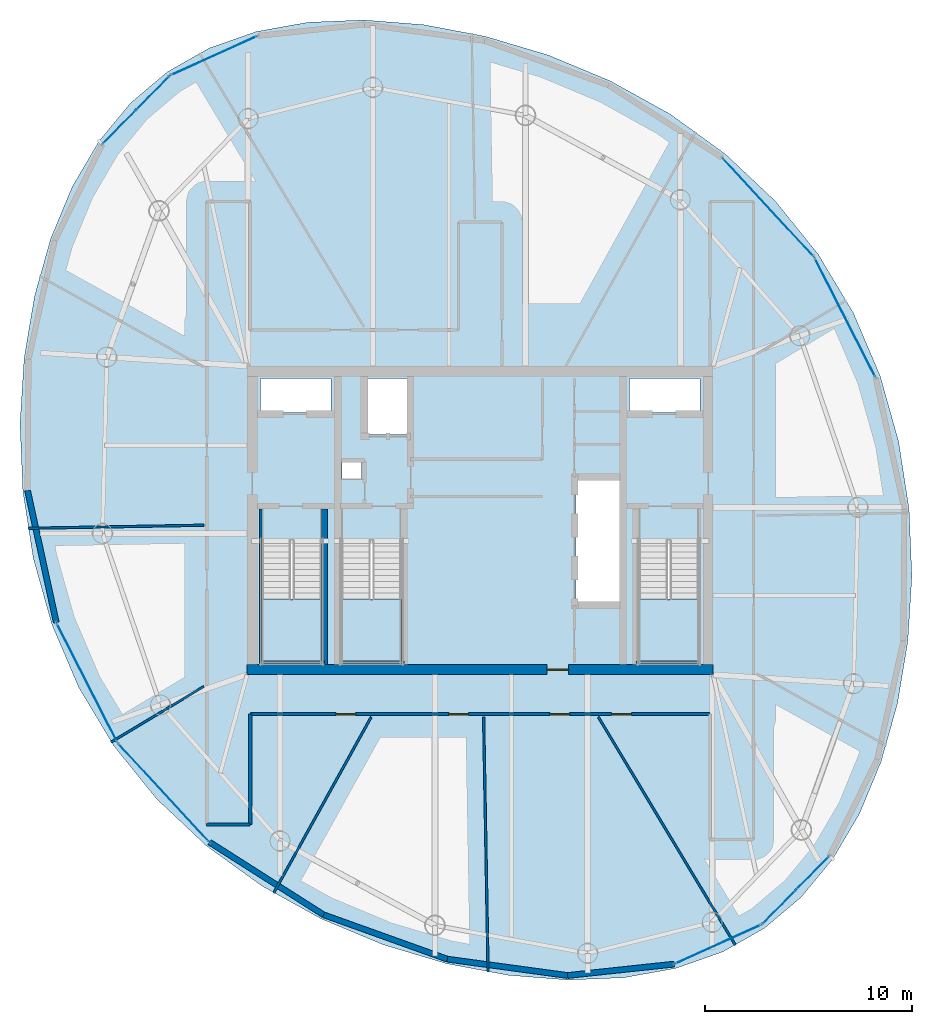
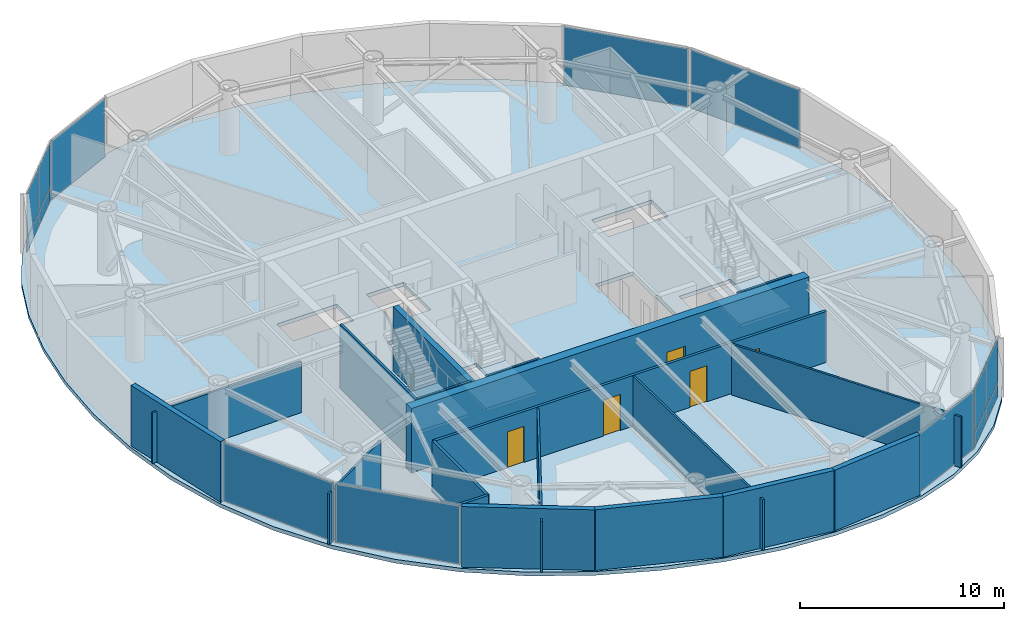
# One storey, part 16 of 22: 19 walls, 14 plates, 5 doors, 4 slabs, 5 openings, 11 elements without a shape of their own.
"""IFC4 building model written with IfcOpenShell, lengths in metres."""

from ifc_helpers import new_model, si_unit, direction, frame, frame_2d, origin, origin_2d, place, context, subcontext, project, spatial, polyline, rectangle, outline, extrude, material, layer, layer_set, type_object, element, fill, aggregate, save


model = new_model("IFC4")

# Units and contexts
model_context = context("Model", 3, precision=1e-05, world=origin(), true_north=direction((0.0, 1.0)))
body_context = subcontext(model_context, "Body", "Model", "MODEL_VIEW")
ifc_project = project(units=[si_unit("LENGTHUNIT", "METRE"), si_unit("AREAUNIT", "SQUARE_METRE"), si_unit("VOLUMEUNIT", "CUBIC_METRE"), si_unit("PLANEANGLEUNIT", "RADIAN"), si_unit("MASSUNIT", "GRAM", prefix="KILO")], contexts=[model_context])

# Site, building, storey
site_placement = place(None, origin())
site = spatial("IfcSite", under=ifc_project, at=site_placement, CompositionType="ELEMENT")
building_placement = place(site_placement, origin())
building = spatial("IfcBuilding", under=site, at=building_placement, Name="Bramvorn Convention Spire", CompositionType="ELEMENT")
storey_placement = place(building_placement, frame((0.0, 0.0, 253.60009765625)))
storey = spatial("IfcBuildingStorey", under=building, at=storey_placement, Name="L64", CompositionType="ELEMENT", Elevation=253.60009765625)

# Curtain wall, plates
ifc_material_1 = material(Name="Anodised Bronze Unitised Curtain Wall", Category="aluminium")
ifc_layer_1 = layer(ifc_material_1, 0.179931640625)
ifc_layer_set_1 = layer_set([ifc_layer_1], Name="Anodised Bronze Unitised Curtain Wall - CW-OFF-FRIT")
curtain_wall_type = type_object("IfcCurtainWallType", Name="CW-OFF-FRIT", PredefinedType="USERDEFINED", material=ifc_layer_set_1)
curtain_wall_1_placement = place(storey_placement, origin())
curtain_wall_1 = element("IfcCurtainWall", 1, at=curtain_wall_1_placement, inside=storey, type_object=curtain_wall_type, Name="L64 fritted glass curtain wall 01", ObjectType="UNITISED CURTAIN WALL", PredefinedType="USERDEFINED")
ifc_material_2 = material(Name="Laminated Low-E Glass (Triple IGU High-VLT Low-Iron 22%)", Category="glass")
ifc_layer_2 = layer(ifc_material_2, 0.0419921875)
ifc_layer_set_2 = layer_set([ifc_layer_2], Name="Laminated Low-E Glass (Triple IGU High-VLT Low-Iron 22%) - PNL-IGU-4")
plate_type = type_object("IfcPlateType", Name="PNL-IGU-4", PredefinedType="CURTAIN_PANEL", material=ifc_layer_set_2)
plate_1_placement = place(storey_placement, frame((54.042236328125, 8.9716796875, 0.059814453125), z_axis=(0.0, 0.0, 1.0), x_axis=(-0.701580737172, -0.712589972725, 0.0)))
plate_1 = element("IfcPlate", 2, at=plate_1_placement, type_object=plate_type, Name="CW3 panel 1.1", PredefinedType="CURTAIN_PANEL", context=body_context, shape_type="SweptSolid", body=[
    extrude(rectangle(XDim=2.2353515625, YDim=0.028076171875, at=origin_2d()), origin(), (0.0, 0.0, 1.0), 0.81005859375),
])
plate_2_placement = place(storey_placement, frame((54.042236328125, 8.9716796875, 0.9296875), z_axis=(0.0, 0.0, 1.0), x_axis=(-0.701580737172, -0.712589972725, 0.0)))
plate_2 = element("IfcPlate", 3, at=plate_2_placement, type_object=plate_type, Name="CW3 panel 1.2", PredefinedType="CURTAIN_PANEL", context=body_context, shape_type="SweptSolid", body=[
    extrude(rectangle(XDim=2.2353515625, YDim=0.028076171875, at=origin_2d()), origin(), (0.0, 0.0, 1.0), 2.635009765625),
])
plate_3_placement = place(storey_placement, frame((52.431884765625, 7.3359375, 0.059814453125), z_axis=(0.0, 0.0, 1.0), x_axis=(-0.701580737172, -0.712589972725, 0.0)))
plate_3 = element("IfcPlate", 4, at=plate_3_placement, type_object=plate_type, Name="CW3 panel 2.1", PredefinedType="CURTAIN_PANEL", context=body_context, shape_type="SweptSolid", body=[
    extrude(rectangle(XDim=2.2353515625, YDim=0.028076171875, at=origin_2d()), origin(), (0.0, 0.0, 1.0), 0.81005859375),
])
plate_4_placement = place(storey_placement, frame((52.431884765625, 7.3359375, 0.9296875), z_axis=(0.0, 0.0, 1.0), x_axis=(-0.701580737172, -0.712589972725, 0.0)))
plate_4 = element("IfcPlate", 5, at=plate_4_placement, type_object=plate_type, Name="CW3 panel 2.2", PredefinedType="CURTAIN_PANEL", context=body_context, shape_type="SweptSolid", body=[
    extrude(rectangle(XDim=2.2353515625, YDim=0.028076171875, at=origin_2d()), origin(), (0.0, 0.0, 1.0), 2.635009765625),
])
aggregate(curtain_wall_1, [plate_1, plate_2, plate_3, plate_4])

# Curtain wall, plate
curtain_wall_2_placement = place(storey_placement, origin())
curtain_wall_2 = element("IfcCurtainWall", 6, at=curtain_wall_2_placement, inside=storey, type_object=curtain_wall_type, Name="L64 fritted glass curtain wall 06", ObjectType="UNITISED CURTAIN WALL", PredefinedType="USERDEFINED")
plate_5_placement = place(storey_placement, frame((55.607666015625, 35.804931640625, 0.06005859375), z_axis=(0.0, 0.0, 1.0), x_axis=(0.45428401358, -0.890856910511, 0.0)))
plate_5 = element("IfcPlate", 7, at=plate_5_placement, type_object=plate_type, Name="CW3 panel 1.1", PredefinedType="CURTAIN_PANEL", context=body_context, shape_type="SweptSolid", body=[
    extrude(rectangle(XDim=6.406982421875, YDim=0.028076171875, at=origin_2d()), origin(), (0.0, 0.0, 1.0), 3.5048828125),
])
aggregate(curtain_wall_2, [plate_5])

curtain_wall_3_placement = place(storey_placement, origin())
curtain_wall_3 = element("IfcCurtainWall", 8, at=curtain_wall_3_placement, inside=storey, type_object=curtain_wall_type, Name="L64 fritted glass curtain wall 07", ObjectType="UNITISED CURTAIN WALL", PredefinedType="USERDEFINED")
plate_6_placement = place(storey_placement, frame((51.90869140625, 41.107421875, 0.06005859375), z_axis=(0.0, 0.0, 1.0), x_axis=(0.679205446275, -0.733948200999, 0.0)))
plate_6 = element("IfcPlate", 9, at=plate_6_placement, type_object=plate_type, Name="CW3 panel 1.1", PredefinedType="CURTAIN_PANEL", context=body_context, shape_type="SweptSolid", body=[
    extrude(rectangle(XDim=6.406982421875, YDim=0.028076171875, at=origin_2d()), origin(), (0.0, 0.0, 1.0), 3.5048828125),
])
aggregate(curtain_wall_3, [plate_6])

curtain_wall_4_placement = place(storey_placement, origin())
curtain_wall_4 = element("IfcCurtainWall", 10, at=curtain_wall_4_placement, inside=storey, type_object=curtain_wall_type, Name="L64 fritted glass curtain wall 12", ObjectType="UNITISED CURTAIN WALL", PredefinedType="USERDEFINED")
plate_7_placement = place(storey_placement, frame((25.1396484375, 48.430419921875, 0.06005859375), z_axis=(0.0, 0.0, 1.0), x_axis=(0.911014847234, 0.412373554098, 0.0)))
plate_7 = element("IfcPlate", 11, at=plate_7_placement, type_object=plate_type, Name="CW3 panel 1.1", PredefinedType="CURTAIN_PANEL", context=body_context, shape_type="SweptSolid", body=[
    extrude(rectangle(XDim=4.530517578125, YDim=0.028076171875, at=origin_2d()), origin(), (0.0, 0.0, 1.0), 3.5048828125),
])
aggregate(curtain_wall_4, [plate_7])

# Curtain wall, plates
curtain_wall_5_placement = place(storey_placement, origin())
curtain_wall_5 = element("IfcCurtainWall", 12, at=curtain_wall_5_placement, inside=storey, type_object=curtain_wall_type, Name="L64 fritted glass curtain wall 13", ObjectType="UNITISED CURTAIN WALL", PredefinedType="USERDEFINED")
plate_8_placement = place(storey_placement, frame((20.584716796875, 44.996826171875, 0.059814453125), z_axis=(0.0, 0.0, 1.0), x_axis=(0.701580737172, 0.712589972725, 0.0)))
plate_8 = element("IfcPlate", 13, at=plate_8_placement, type_object=plate_type, Name="CW3 panel 1.1", PredefinedType="CURTAIN_PANEL", context=body_context, shape_type="SweptSolid", body=[
    extrude(rectangle(XDim=2.2353515625, YDim=0.028076171875, at=origin_2d()), origin(), (0.0, 0.0, 1.0), 0.81005859375),
])
plate_9_placement = place(storey_placement, frame((20.584716796875, 44.996826171875, 0.9296875), z_axis=(0.0, 0.0, 1.0), x_axis=(0.701580737172, 0.712589972725, 0.0)))
plate_9 = element("IfcPlate", 14, at=plate_9_placement, type_object=plate_type, Name="CW3 panel 1.2", PredefinedType="CURTAIN_PANEL", context=body_context, shape_type="SweptSolid", body=[
    extrude(rectangle(XDim=2.2353515625, YDim=0.028076171875, at=origin_2d()), origin(), (0.0, 0.0, 1.0), 2.635009765625),
])
plate_10_placement = place(storey_placement, frame((22.195068359375, 46.63232421875, 0.059814453125), z_axis=(0.0, 0.0, 1.0), x_axis=(0.701580737172, 0.712589972725, 0.0)))
plate_10 = element("IfcPlate", 15, at=plate_10_placement, type_object=plate_type, Name="CW3 panel 2.1", PredefinedType="CURTAIN_PANEL", context=body_context, shape_type="SweptSolid", body=[
    extrude(rectangle(XDim=2.2353515625, YDim=0.028076171875, at=origin_2d()), origin(), (0.0, 0.0, 1.0), 0.81005859375),
])
plate_11_placement = place(storey_placement, frame((22.195068359375, 46.63232421875, 0.9296875), z_axis=(0.0, 0.0, 1.0), x_axis=(0.701580737172, 0.712589972725, 0.0)))
plate_11 = element("IfcPlate", 16, at=plate_11_placement, type_object=plate_type, Name="CW3 panel 2.2", PredefinedType="CURTAIN_PANEL", context=body_context, shape_type="SweptSolid", body=[
    extrude(rectangle(XDim=2.2353515625, YDim=0.028076171875, at=origin_2d()), origin(), (0.0, 0.0, 1.0), 2.635009765625),
])
aggregate(curtain_wall_5, [plate_8, plate_9, plate_10, plate_11])

# Curtain wall, plate
curtain_wall_6_placement = place(storey_placement, origin())
curtain_wall_6 = element("IfcCurtainWall", 17, at=curtain_wall_6_placement, inside=storey, type_object=curtain_wall_type, Name="L64 fritted glass curtain wall 18", ObjectType="UNITISED CURTAIN WALL", PredefinedType="USERDEFINED")
plate_12_placement = place(storey_placement, frame((19.01904296875, 18.163330078125, 0.06005859375), z_axis=(0.0, 0.0, 1.0), x_axis=(-0.45428401358, 0.890856910511, 0.0)))
plate_12 = element("IfcPlate", 18, at=plate_12_placement, type_object=plate_type, Name="CW3 panel 1.1", PredefinedType="CURTAIN_PANEL", context=body_context, shape_type="SweptSolid", body=[
    extrude(rectangle(XDim=6.406982421875, YDim=0.028076171875, at=origin_2d()), origin(), (0.0, 0.0, 1.0), 3.5048828125),
])
aggregate(curtain_wall_6, [plate_12])

curtain_wall_7_placement = place(storey_placement, origin())
curtain_wall_7 = element("IfcCurtainWall", 19, at=curtain_wall_7_placement, inside=storey, type_object=curtain_wall_type, Name="L64 fritted glass curtain wall 19", ObjectType="UNITISED CURTAIN WALL", PredefinedType="USERDEFINED")
plate_13_placement = place(storey_placement, frame((22.71826171875, 12.86083984375, 0.06005859375), z_axis=(0.0, 0.0, 1.0), x_axis=(-0.679197808669, 0.733955268868, 0.0)))
plate_13 = element("IfcPlate", 20, at=plate_13_placement, type_object=plate_type, Name="CW3 panel 1.1", PredefinedType="CURTAIN_PANEL", context=body_context, shape_type="SweptSolid", body=[
    extrude(rectangle(XDim=6.406982421875, YDim=0.028076171875, at=origin_2d()), origin(), (0.0, 0.0, 1.0), 3.5048828125),
])
aggregate(curtain_wall_7, [plate_13])

curtain_wall_8_placement = place(storey_placement, origin())
curtain_wall_8 = element("IfcCurtainWall", 21, at=curtain_wall_8_placement, inside=storey, type_object=curtain_wall_type, Name="L64 fritted glass curtain wall 24", ObjectType="UNITISED CURTAIN WALL", PredefinedType="USERDEFINED")
plate_14_placement = place(storey_placement, frame((49.4873046875, 5.537841796875, 0.06005859375), z_axis=(0.0, 0.0, 1.0), x_axis=(-0.911011190593, -0.412381632246, 0.0)))
plate_14 = element("IfcPlate", 22, at=plate_14_placement, type_object=plate_type, Name="CW3 panel 1.1", PredefinedType="CURTAIN_PANEL", context=body_context, shape_type="SweptSolid", body=[
    extrude(rectangle(XDim=4.530517578125, YDim=0.028076171875, at=origin_2d()), origin(), (0.0, 0.0, 1.0), 3.5048828125),
])
aggregate(curtain_wall_8, [plate_14])

# Stair, slab
ifc_material_3 = material(Name="Concrete C40/50 Precast Stair", Category="concrete")
stair_type = type_object("IfcStairType", Name="ST-TOWER-1550", PredefinedType="HALF_TURN_STAIR", material=ifc_material_3)
stair_1_placement = place(storey_placement, origin())
stair_1 = element("IfcStair", 23, at=stair_1_placement, inside=storey, type_object=stair_type, Name="L64 Protected Exit Stair ST1", PredefinedType="HALF_TURN_STAIR")
ifc_material_4 = material(Name="Concrete C40/50 Stair Landing", Category="concrete")
ifc_layer_3 = layer(ifc_material_4, 0.219970703125)
ifc_layer_set_3 = layer_set([ifc_layer_3], Name="Concrete C40/50 Stair Landing - SLB-STAIR-LANDING")
slab_type_1 = type_object("IfcSlabType", Name="SLB-STAIR-LANDING", PredefinedType="LANDING", material=ifc_layer_set_3)
slab_1_placement = place(storey_placement, frame((0.0, 0.0, 1.724853515625)))
slab_1 = element("IfcSlab", 24, at=slab_1_placement, type_object=slab_type_1, Name="ST1 landing 1", PredefinedType="LANDING", context=body_context, shape_type="SweptSolid", body=[
    extrude(outline(polyline([(27.449951171875, 22.199951171875), (27.449951171875, 19.10009765625), (30.35009765625, 19.10009765625), (30.35009765625, 22.199951171875), (27.449951171875, 22.199951171875)])), origin(), (0.0, 0.0, 1.0), 0.199951171875),
])
aggregate(stair_1, [slab_1])

stair_2_placement = place(storey_placement, origin())
stair_2 = element("IfcStair", 25, at=stair_2_placement, inside=storey, type_object=stair_type, Name="L64 Protected Exit Stair ST2", PredefinedType="HALF_TURN_STAIR")
slab_2_placement = place(storey_placement, frame((0.0, 0.0, 1.724853515625)))
slab_2 = element("IfcSlab", 26, at=slab_2_placement, type_object=slab_type_1, Name="ST2 landing 1", PredefinedType="LANDING", context=body_context, shape_type="SweptSolid", body=[
    extrude(outline(polyline([(45.64990234375, 22.199951171875), (45.64990234375, 19.10009765625), (48.550048828125, 19.10009765625), (48.550048828125, 22.199951171875), (45.64990234375, 22.199951171875)])), origin(), (0.0, 0.0, 1.0), 0.199951171875),
])
aggregate(stair_2, [slab_2])

stair_3_placement = place(storey_placement, origin())
stair_3 = element("IfcStair", 27, at=stair_3_placement, inside=storey, type_object=stair_type, Name="L64 Protected Exit Stair ST3", PredefinedType="HALF_TURN_STAIR")
slab_3_placement = place(storey_placement, frame((0.0, 0.0, 1.724853515625)))
slab_3 = element("IfcSlab", 28, at=slab_3_placement, type_object=slab_type_1, Name="ST3 landing 1", PredefinedType="LANDING", context=body_context, shape_type="SweptSolid", body=[
    extrude(outline(polyline([(31.300048828125, 22.199951171875), (31.300048828125, 19.10009765625), (34.199951171875, 19.10009765625), (34.199951171875, 22.199951171875), (31.300048828125, 22.199951171875)])), origin(), (0.0, 0.0, 1.0), 0.199951171875),
])
aggregate(stair_3, [slab_3])

# Slab
ifc_material_5 = material(Name="Concrete C40/50", Category="concrete")
ifc_layer_4 = layer(ifc_material_5, 0.22509765625)
ifc_layer_set_4 = layer_set([ifc_layer_4], Name="Concrete C40/50 - SLB-Z4-225")
slab_type_2 = type_object("IfcSlabType", Name="SLB-Z4-225", PredefinedType="FLOOR", material=ifc_layer_set_4)
slab_4_placement = place(storey_placement, frame((0.0, 0.0, -0.22509765625)))
element("IfcSlab", 29, at=slab_4_placement, inside=storey, type_object=slab_type_2, Name="L64 tower floor slab", PredefinedType="FLOOR", context=body_context, shape_type="SweptSolid", body=[
    extrude(outline(polyline([(51.7314453125, 6.31640625), (53.504638671875, 7.816162109375), (55.033447265625, 9.666748046875), (56.319091796875, 11.855712890625), (57.3583984375, 14.358154296875), (58.1396484375, 17.13623046875), (58.643310546875, 20.137451171875), (58.842041015625, 23.298095703125), (58.705078125, 26.544189453125), (58.2021484375, 29.798095703125), (57.309326171875, 32.98095703125), (56.013916015625, 36.019287109375), (54.320068359375, 38.84814453125), (52.25, 41.414794921875), (49.845947265625, 43.679443359375), (47.1669921875, 45.616455078125), (44.287109375, 47.212158203125), (41.287841796875, 48.461669921875), (38.253173828125, 49.3662109375), (35.262451171875, 49.929931640625), (32.385498046875, 50.156005859375), (29.677978515625, 50.044921875), (27.179931640625, 49.593994140625), (24.915283203125, 48.798095703125), (22.895263671875, 47.652099609375), (21.1220703125, 46.152099609375), (19.593505859375, 44.301513671875), (18.3076171875, 42.11279296875), (17.2685546875, 39.610107421875), (16.4873046875, 36.832275390625), (15.983642578125, 33.830810546875), (15.78466796875, 30.67041015625), (15.921630859375, 27.424072265625), (16.424560546875, 24.17041015625), (17.317626953125, 20.9873046875), (18.61279296875, 17.948974609375), (20.306884765625, 15.1201171875), (22.376708984375, 12.5537109375), (24.781005859375, 10.288818359375), (27.459716796875, 8.351806640625), (30.339599609375, 6.75634765625), (33.339111328125, 5.5068359375), (36.373779296875, 4.60205078125), (39.364501953125, 4.038330078125), (42.2412109375, 3.8125), (44.94873046875, 3.923583984375), (47.447021484375, 4.37451171875), (49.711669921875, 5.170166015625), (51.7314453125, 6.31640625)]), holes=[polyline([(27.449951171875, 25.050048828125), (27.449951171875, 19.10009765625), (30.35009765625, 19.10009765625), (30.35009765625, 25.050048828125), (27.449951171875, 25.050048828125)]), polyline([(45.64990234375, 25.050048828125), (45.64990234375, 19.10009765625), (48.550048828125, 19.10009765625), (48.550048828125, 25.050048828125), (45.64990234375, 25.050048828125)]), polyline([(31.300048828125, 25.050048828125), (31.300048828125, 19.10009765625), (34.199951171875, 19.10009765625), (34.199951171875, 25.050048828125), (31.300048828125, 25.050048828125)]), polyline([(27.39990234375, 31.219970703125), (30.800048828125, 31.219970703125), (30.800048828125, 32.85009765625), (27.39990234375, 32.85009765625), (27.39990234375, 31.219970703125)]), polyline([(45.199951171875, 31.219970703125), (48.60009765625, 31.219970703125), (48.60009765625, 32.85009765625), (45.199951171875, 32.85009765625), (45.199951171875, 31.219970703125)]), polyline([(32.449951171875, 30.14990234375), (34.56005859375, 30.14990234375), (34.56005859375, 32.85009765625), (32.449951171875, 32.85009765625), (32.449951171875, 30.14990234375)]), polyline([(42.6201171875, 22.0), (44.75, 22.0), (44.75, 28.0), (42.6201171875, 28.0), (42.6201171875, 22.0)]), polyline([(31.320068359375, 28.02001953125), (32.280029296875, 28.02001953125), (32.280029296875, 28.820068359375), (31.320068359375, 28.820068359375), (31.320068359375, 28.02001953125)])]), origin(), (0.0, 0.0, 1.0), 0.22509765625),
])

# Wall, opening, door
ifc_material_6 = material(Name="Concrete C50/60", Category="concrete")
ifc_layer_5 = layer(ifc_material_6, 0.5)
ifc_layer_set_5 = layer_set([ifc_layer_5], Name="Concrete C50/60 - WL-CORE-500")
wall_type_1 = type_object("IfcWallType", Name="WL-CORE-500", PredefinedType="SHEAR", material=ifc_layer_set_5)
wall_1_placement = place(storey_placement, frame((26.75, 18.800048828125, 0.0), z_axis=(0.0, 0.0, 1.0), x_axis=(1.0, 0.0, 0.0)))
wall_1 = element("IfcWall", 30, at=wall_1_placement, inside=storey, type_object=wall_type_1, Name="L64 South RC core shear wall", PredefinedType="SHEAR", context=body_context, shape_type="SweptSolid", body=[
    extrude(rectangle(XDim=22.5, YDim=0.5, at=frame_2d((11.25, 0.0))), origin(), (0.0, 0.0, 1.0), 3.849853515625),
])
opening_1_placement = place(wall_1_placement, frame((14.469970703125, 0.0, 0.0)))
opening_1 = element("IfcOpeningElement", 31, at=opening_1_placement, cuts=wall_1, Name="Opening DL-105", PredefinedType="OPENING", context=body_context, shape_type="SweptSolid", body=[
    extrude(rectangle(XDim=1.050048828125, YDim=2.14990234375, at=frame_2d((0.52490234375, 1.074951171875))), frame((0.0, 0.260009765625, 0.0), z_axis=(0.0, -1.0, 0.0), x_axis=(1.0, 0.0, 0.0)), (0.0, 0.0, 1.0), 0.52001953125),
])
ifc_material_7 = material(Name="Smoke-Sealed Fire Lobby Timber-Core Door", Category="wood")
door_type_1 = type_object("IfcDoorType", Name="DR-LOBBY-1050", OperationType="NOTDEFINED", PredefinedType="DOOR", material=ifc_material_7)
door_1_placement = place(opening_1_placement, origin())
door_1 = element("IfcDoor", 32, at=door_1_placement, inside=storey, type_object=door_type_1, Name="L64 South Lift Lobby fire door", OperationType="SINGLE_SWING_RIGHT", OverallHeight=2.14990234375, OverallWidth=1.050048828125, PredefinedType="DOOR", context=body_context, shape_type="SweptSolid", body=[
    extrude(rectangle(XDim=1.050048828125, YDim=2.14990234375, at=frame_2d((0.52490234375, 1.074951171875))), frame((0.0, 0.02490234375, 0.0), z_axis=(0.0, -1.0, 0.0), x_axis=(1.0, 0.0, 0.0)), (0.0, 0.0, 1.0), 0.050048828125),
])
fill(opening_1, door_1)

# Walls
ifc_material_8 = material(Name="Precast Concrete C40/50 with Bronze Terracotta Rainscreen", Category="masonry")
ifc_layer_6 = layer(ifc_material_8, 0.300048828125)
ifc_layer_set_6 = layer_set([ifc_layer_6], Name="Precast Concrete C40/50 with Bronze Terracotta Rainscreen - WL-EXT-BRONZE-300")
wall_type_2 = type_object("IfcWallType", Name="WL-EXT-BRONZE-300", PredefinedType="SOLIDWALL", material=ifc_layer_set_6)
wall_2_placement = place(storey_placement, frame((17.53662109375, 21.07080078125, 0.0), z_axis=(0.0, 0.0, 1.0), x_axis=(-0.21290021568, 0.977073947132, 0.0)))
element("IfcWall", 33, at=wall_2_placement, inside=storey, type_object=wall_type_2, Name="L64 expressed bronze Gothic lancet pier wall 17", PredefinedType="SOLIDWALL", context=body_context, shape_type="SweptSolid", body=[
    extrude(rectangle(XDim=6.526123046875, YDim=0.280029296875, at=frame_2d((3.26318359375, 0.0))), origin(), (0.0, 0.0, 1.0), 3.625),
])
wall_3_placement = place(storey_placement, frame((30.439208984375, 6.9599609375, 0.0), z_axis=(0.0, 0.0, 1.0), x_axis=(-0.843465794801, 0.537182885991, 0.0)))
element("IfcWall", 34, at=wall_3_placement, inside=storey, type_object=wall_type_2, Name="L64 expressed bronze Gothic lancet pier wall 20", PredefinedType="SOLIDWALL", context=body_context, shape_type="SweptSolid", body=[
    extrude(rectangle(XDim=6.52587890625, YDim=0.280029296875, at=frame_2d((3.262939453125, 0.0))), origin(), (0.0, 0.0, 1.0), 3.625),
])
wall_4_placement = place(storey_placement, frame((36.412353515625, 4.818603515625, 0.0), z_axis=(0.0, 0.0, 1.0), x_axis=(-0.941337328655, 0.337467085328, 0.0)))
element("IfcWall", 35, at=wall_4_placement, inside=storey, type_object=wall_type_2, Name="L64 expressed bronze Gothic lancet pier wall 21", PredefinedType="SOLIDWALL", context=body_context, shape_type="SweptSolid", body=[
    extrude(rectangle(XDim=6.345458984375, YDim=0.280029296875, at=frame_2d((3.1728515625, 0.0))), origin(), (0.0, 0.0, 1.0), 3.625),
])
wall_5_placement = place(storey_placement, frame((42.218994140625, 4.029052734375, 0.0), z_axis=(0.0, 0.0, 1.0), x_axis=(-0.990881813427, 0.134733929727, 0.0)))
element("IfcWall", 36, at=wall_5_placement, inside=storey, type_object=wall_type_2, Name="L64 expressed bronze Gothic lancet pier wall 22", PredefinedType="SOLIDWALL", context=body_context, shape_type="SweptSolid", body=[
    extrude(rectangle(XDim=5.860107421875, YDim=0.280029296875, at=frame_2d((2.93017578125, 0.0))), origin(), (0.0, 0.0, 1.0), 3.625),
])
wall_6_placement = place(storey_placement, frame((47.368896484375, 4.5791015625, 0.0), z_axis=(0.0, 0.0, 1.0), x_axis=(-0.994344408772, -0.106203562765, 0.0)))
element("IfcWall", 37, at=wall_6_placement, inside=storey, type_object=wall_type_2, Name="L64 expressed bronze Gothic lancet pier wall 23", PredefinedType="SOLIDWALL", context=body_context, shape_type="SweptSolid", body=[
    extrude(rectangle(XDim=5.17919921875, YDim=0.280029296875, at=frame_2d((2.589599609375, 0.0))), origin(), (0.0, 0.0, 1.0), 3.625),
])
ifc_material_9 = material(Name="Lightweight En-Suite & Wet-Wall Partition", Category="gypsum")
ifc_layer_7 = layer(ifc_material_9, 0.110107421875)
ifc_layer_set_7 = layer_set([ifc_layer_7], Name="Lightweight En-Suite & Wet-Wall Partition - WL-PART-110")
wall_type_3 = type_object("IfcWallType", Name="WL-PART-110", PredefinedType="PARTITIONING", material=ifc_layer_set_7)
wall_7_placement = place(storey_placement, frame((24.659912109375, 25.76708984375, 0.0), z_axis=(0.0, 0.0, 1.0), x_axis=(-0.999847721367, -0.017450904792, 0.0)))
element("IfcWall", 38, at=wall_7_placement, inside=storey, type_object=wall_type_3, Name="L64 Tenant suite partition 7", PredefinedType="PARTITIONING", context=body_context, shape_type="SweptSolid", body=[
    extrude(rectangle(XDim=8.491943359375, YDim=0.110107421875, at=frame_2d((4.24609375, 0.0))), origin(), (0.0, 0.0, 1.0), 3.039794921875),
])
wall_8_placement = place(storey_placement, frame((24.659912109375, 17.984619140625, 0.0), z_axis=(0.0, 0.0, 1.0), x_axis=(-0.857147311937, -0.51507134034, 0.0)))
element("IfcWall", 39, at=wall_8_placement, inside=storey, type_object=wall_type_3, Name="L64 Tenant suite partition 8", PredefinedType="PARTITIONING", context=body_context, shape_type="SweptSolid", body=[
    extrude(rectangle(XDim=5.238525390625, YDim=0.110107421875, at=frame_2d((2.619140625, 0.0))), origin(), (0.0, 0.0, 1.0), 3.039794921875),
])
wall_9_placement = place(storey_placement, frame((32.739501953125, 16.510009765625, 0.0), z_axis=(0.0, 0.0, 1.0), x_axis=(-0.484794445223, -0.87462811862, 0.0)))
element("IfcWall", 40, at=wall_9_placement, inside=storey, type_object=wall_type_3, Name="L64 Tenant suite partition 9", PredefinedType="PARTITIONING", context=body_context, shape_type="SweptSolid", body=[
    extrude(rectangle(XDim=9.72607421875, YDim=0.110107421875, at=frame_2d((4.863037109375, 0.0))), origin(), (0.0, 0.0, 1.0), 3.039794921875),
])
wall_10_placement = place(storey_placement, frame((38.16552734375, 16.510009765625, 0.0), z_axis=(0.0, 0.0, 1.0), x_axis=(0.017460864441, -0.999847547486, 0.0)))
element("IfcWall", 41, at=wall_10_placement, inside=storey, type_object=wall_type_3, Name="L64 Tenant suite partition 10", PredefinedType="PARTITIONING", context=body_context, shape_type="SweptSolid", body=[
    extrude(rectangle(XDim=12.318359375, YDim=0.110107421875, at=frame_2d((6.1591796875, 0.0))), origin(), (0.0, 0.0, 1.0), 3.039794921875),
])
wall_11_placement = place(storey_placement, frame((43.7021484375, 16.510009765625, 0.0), z_axis=(0.0, 0.0, 1.0), x_axis=(0.51503438344, -0.85716951875, 0.0)))
element("IfcWall", 42, at=wall_11_placement, inside=storey, type_object=wall_type_3, Name="L64 Tenant suite partition 11", PredefinedType="PARTITIONING", context=body_context, shape_type="SweptSolid", body=[
    extrude(rectangle(XDim=12.8623046875, YDim=0.110107421875, at=frame_2d((6.43115234375, 0.0))), origin(), (0.0, 0.0, 1.0), 3.039794921875),
])

# Wall, openings, doors
ifc_material_10 = material(Name="Acoustic Metal-Stud Tenant/Corridor Partition", Category="gypsum")
ifc_layer_8 = layer(ifc_material_10, 0.14990234375)
ifc_layer_set_8 = layer_set([ifc_layer_8], Name="Acoustic Metal-Stud Tenant/Corridor Partition - WL-PART-150")
wall_type_4 = type_object("IfcWallType", Name="WL-PART-150", PredefinedType="PARTITIONING", material=ifc_layer_set_8)
wall_12_placement = place(storey_placement, frame((26.89990234375, 16.64990234375, 0.0), z_axis=(0.0, 0.0, 1.0), x_axis=(1.0, 0.0, 0.0)))
wall_12 = element("IfcWall", 43, at=wall_12_placement, inside=storey, type_object=wall_type_4, Name="L64 South H-crossbar wall", PredefinedType="PARTITIONING", context=body_context, shape_type="SweptSolid", body=[
    extrude(rectangle(XDim=22.2001953125, YDim=0.14990234375, at=frame_2d((11.10009765625, 0.0))), origin(), (0.0, 0.0, 1.0), 3.039794921875),
])
opening_2_placement = place(wall_12_placement, frame((4.135498046875, 0.0, 0.0)))
opening_2 = element("IfcOpeningElement", 44, at=opening_2_placement, cuts=wall_12, Name="Opening DH-095", PredefinedType="OPENING", context=body_context, shape_type="SweptSolid", body=[
    extrude(rectangle(XDim=0.949951171875, YDim=2.14990234375, at=frame_2d((0.47509765625, 1.074951171875))), frame((0.0, 0.0849609375, 0.0), z_axis=(0.0, -1.0, 0.0), x_axis=(1.0, 0.0, 0.0)), (0.0, 0.0, 1.0), 0.169921875),
])
opening_3_placement = place(wall_12_placement, frame((9.583984375, 0.0, 0.0)))
opening_3 = element("IfcOpeningElement", 45, at=opening_3_placement, cuts=wall_12, Name="Opening DH-095", PredefinedType="OPENING", context=body_context, shape_type="SweptSolid", body=[
    extrude(rectangle(XDim=0.949951171875, YDim=2.14990234375, at=frame_2d((0.47509765625, 1.074951171875))), frame((0.0, 0.0849609375, 0.0), z_axis=(0.0, -1.0, 0.0), x_axis=(1.0, 0.0, 0.0)), (0.0, 0.0, 1.0), 0.169921875),
])
opening_4_placement = place(wall_12_placement, frame((14.473388671875, 0.0, 0.0)))
opening_4 = element("IfcOpeningElement", 46, at=opening_4_placement, cuts=wall_12, Name="Opening DH-095", PredefinedType="OPENING", context=body_context, shape_type="SweptSolid", body=[
    extrude(rectangle(XDim=0.949951171875, YDim=2.14990234375, at=frame_2d((0.47509765625, 1.074951171875))), frame((0.0, 0.0849609375, 0.0), z_axis=(0.0, -1.0, 0.0), x_axis=(1.0, 0.0, 0.0)), (0.0, 0.0, 1.0), 0.169921875),
])
opening_5_placement = place(wall_12_placement, frame((17.4453125, 0.0, 0.0)))
opening_5 = element("IfcOpeningElement", 47, at=opening_5_placement, cuts=wall_12, Name="Opening DH-095", PredefinedType="OPENING", context=body_context, shape_type="SweptSolid", body=[
    extrude(rectangle(XDim=0.949951171875, YDim=2.14990234375, at=frame_2d((0.47509765625, 1.074951171875))), frame((0.0, 0.0849609375, 0.0), z_axis=(0.0, -1.0, 0.0), x_axis=(1.0, 0.0, 0.0)), (0.0, 0.0, 1.0), 0.169921875),
])
ifc_material_11 = material(Name="Solid-Core Acoustic Guestroom Entry Door", Category="wood")
door_type_2 = type_object("IfcDoorType", Name="DR-HOTEL-950", OperationType="NOTDEFINED", PredefinedType="DOOR", material=ifc_material_11)
door_2_placement = place(opening_2_placement, origin())
door_2 = element("IfcDoor", 48, at=door_2_placement, inside=storey, type_object=door_type_2, Name="L64 Deposition Meeting Room 2 8 door", OperationType="SINGLE_SWING_LEFT", OverallHeight=2.14990234375, OverallWidth=0.949951171875, PredefinedType="DOOR", context=body_context, shape_type="SweptSolid", body=[
    extrude(rectangle(XDim=0.949951171875, YDim=2.14990234375, at=frame_2d((0.47509765625, 1.074951171875))), frame((0.0, 0.02490234375, 0.0), z_axis=(0.0, -1.0, 0.0), x_axis=(1.0, 0.0, 0.0)), (0.0, 0.0, 1.0), 0.050048828125),
])
fill(opening_2, door_2)
door_3_placement = place(opening_3_placement, origin())
door_3 = element("IfcDoor", 49, at=door_3_placement, inside=storey, type_object=door_type_2, Name="L64 Case File Store 9 door", OperationType="SINGLE_SWING_RIGHT", OverallHeight=2.14990234375, OverallWidth=0.949951171875, PredefinedType="DOOR", context=body_context, shape_type="SweptSolid", body=[
    extrude(rectangle(XDim=0.949951171875, YDim=2.14990234375, at=frame_2d((0.47509765625, 1.074951171875))), frame((0.0, 0.02490234375, 0.0), z_axis=(0.0, -1.0, 0.0), x_axis=(1.0, 0.0, 0.0)), (0.0, 0.0, 1.0), 0.050048828125),
])
fill(opening_3, door_3)
door_4_placement = place(opening_4_placement, origin())
door_4 = element("IfcDoor", 50, at=door_4_placement, inside=storey, type_object=door_type_2, Name="L64 Chambers Pantry Kitchen 10 door", OperationType="SINGLE_SWING_LEFT", OverallHeight=2.14990234375, OverallWidth=0.949951171875, PredefinedType="DOOR", context=body_context, shape_type="SweptSolid", body=[
    extrude(rectangle(XDim=0.949951171875, YDim=2.14990234375, at=frame_2d((0.47509765625, 1.074951171875))), frame((0.0, 0.02490234375, 0.0), z_axis=(0.0, -1.0, 0.0), x_axis=(1.0, 0.0, 0.0)), (0.0, 0.0, 1.0), 0.050048828125),
])
fill(opening_4, door_4)
door_5_placement = place(opening_5_placement, origin())
door_5 = element("IfcDoor", 51, at=door_5_placement, inside=storey, type_object=door_type_2, Name="L64 Tenant Briefing Room 11 door", OperationType="SINGLE_SWING_RIGHT", OverallHeight=2.14990234375, OverallWidth=0.949951171875, PredefinedType="DOOR", context=body_context, shape_type="SweptSolid", body=[
    extrude(rectangle(XDim=0.949951171875, YDim=2.14990234375, at=frame_2d((0.47509765625, 1.074951171875))), frame((0.0, 0.02490234375, 0.0), z_axis=(0.0, -1.0, 0.0), x_axis=(1.0, 0.0, 0.0)), (0.0, 0.0, 1.0), 0.050048828125),
])
fill(opening_5, door_5)

# Walls
wall_13_placement = place(storey_placement, frame((26.89990234375, 11.31689453125, 0.0), z_axis=(0.0, 0.0, 1.0), x_axis=(0.0, 1.0, 0.0)))
element("IfcWall", 52, at=wall_13_placement, inside=storey, type_object=wall_type_4, Name="L64 West gallery SE wall", PredefinedType="PARTITIONING", context=body_context, shape_type="SweptSolid", body=[
    extrude(rectangle(XDim=5.3330078125, YDim=0.14990234375, at=frame_2d((2.66650390625, 0.0))), origin(), (0.0, 0.0, 1.0), 3.039794921875),
])
wall_14_placement = place(storey_placement, frame((24.800048828125, 11.31689453125, 0.0), z_axis=(0.0, 0.0, 1.0), x_axis=(1.0, 0.0, 0.0)))
element("IfcWall", 53, at=wall_14_placement, inside=storey, type_object=wall_type_4, Name="L64 West gallery south end", PredefinedType="PARTITIONING", context=body_context, shape_type="SweptSolid", body=[
    extrude(rectangle(XDim=2.099853515625, YDim=0.14990234375, at=frame_2d((1.0498046875, 0.0))), origin(), (0.0, 0.0, 1.0), 3.039794921875),
])
ifc_layer_9 = layer(ifc_material_6, 0.300048828125)
ifc_layer_set_9 = layer_set([ifc_layer_9], Name="Concrete C50/60 - WL-POD-STAIR-300")
wall_type_5 = type_object("IfcWallType", Name="WL-POD-STAIR-300", PredefinedType="SHEAR", material=ifc_layer_set_9)
wall_15_placement = place(storey_placement, frame((30.489990234375, 19.050048828125, 0.0), z_axis=(0.0, 0.0, 1.0), x_axis=(0.0, 1.0, 0.0)))
element("IfcWall", 54, at=wall_15_placement, inside=storey, type_object=wall_type_5, Name="L64 ST1 east bearing wall", PredefinedType="SHEAR", context=body_context, shape_type="SweptSolid", body=[
    extrude(rectangle(XDim=7.5, YDim=0.300048828125, at=frame_2d((3.75, 0.0))), origin(), (0.0, 0.0, 1.0), 3.849853515625),
])
ifc_layer_10 = layer(ifc_material_6, 0.1201171875)
ifc_layer_set_10 = layer_set([ifc_layer_10], Name="Concrete C50/60 - WL-STAIR-RC-120")
wall_type_6 = type_object("IfcWallType", Name="WL-STAIR-RC-120", PredefinedType="SHEAR", material=ifc_layer_set_10)
wall_16_placement = place(storey_placement, frame((27.39501953125, 19.10009765625, 0.0), z_axis=(0.0, 0.0, 1.0), x_axis=(0.0, 1.0, 0.0)))
element("IfcWall", 55, at=wall_16_placement, inside=storey, type_object=wall_type_6, Name="L64 ST1 west bearing shear wall", PredefinedType="SHEAR", context=body_context, shape_type="SweptSolid", body=[
    extrude(rectangle(XDim=7.449951171875, YDim=0.1201171875, at=frame_2d((3.72509765625, 0.0))), origin(), (0.0, 0.0, 1.0), 3.849853515625),
])
for number, where, z_axis, x_axis, name in (
    (56, (27.39501953125, 19.159912109375, 0.0), (0.0, 0.0, 1.0), (1.0, 0.0, 0.0), "L64 ST1 south bearing shear wall"),
    (57, (45.510009765625, 19.159912109375, 0.0), (0.0, 0.0, 1.0), (1.0, 0.0, 0.0), "L64 ST2 south bearing shear wall"),
):
    element("IfcWall", number, at=place(storey_placement, frame(where, z_axis=z_axis, x_axis=x_axis)), inside=storey, type_object=wall_type_6, Name=name, PredefinedType="SHEAR", context=body_context, shape_type="SweptSolid", body=[
        extrude(rectangle(XDim=3.094970703125, YDim=0.1201171875, at=frame_2d((1.54736328125, 0.0))), origin(), (0.0, 0.0, 1.0), 3.849853515625),
    ])
wall_17_placement = place(storey_placement, frame((31.300048828125, 19.159912109375, 0.0), z_axis=(0.0, 0.0, 1.0), x_axis=(1.0, 0.0, 0.0)))
element("IfcWall", 58, at=wall_17_placement, inside=storey, type_object=wall_type_6, Name="L64 ST3 south bearing shear wall", PredefinedType="SHEAR", context=body_context, shape_type="SweptSolid", body=[
    extrude(rectangle(XDim=3.0400390625, YDim=0.1201171875, at=frame_2d((1.52001953125, 0.0))), origin(), (0.0, 0.0, 1.0), 3.849853515625),
])

save(model, "model.ifc")
